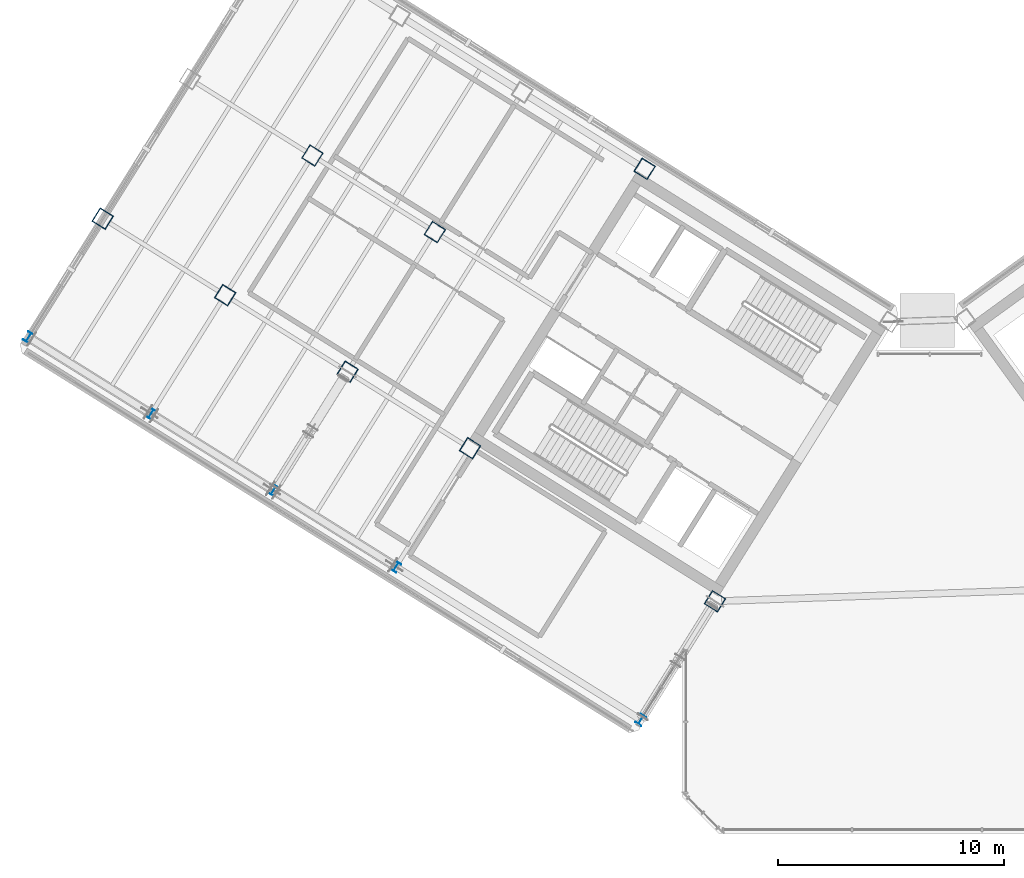
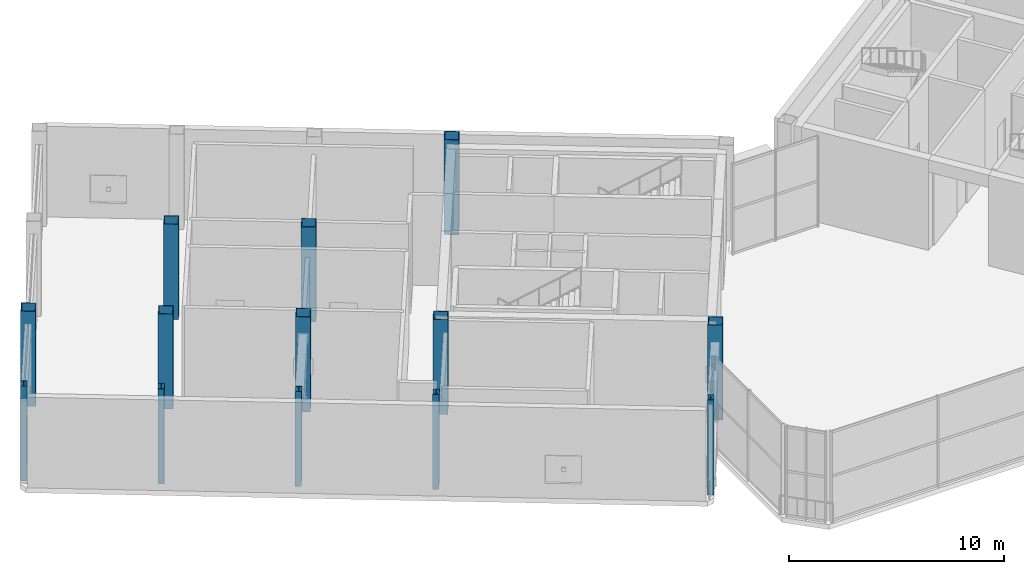
# One storey, part 1 of 32: 13 columns.
"""IFC4 building model written with IfcOpenShell, lengths in metres."""

from ifc_helpers import new_model, si_unit, direction, frame, origin, origin_2d, place, context, subcontext, project, spatial, hollow_rectangle, i_section, extrude, source, transform, mapped, material, material_profile, profile_set, type_object, element, save


model = new_model("IFC4")

# Units and contexts
model_context = context("Model", 3, precision=1e-05, world=origin(), true_north=direction((0.0, 1.0)))
body_context = subcontext(model_context, "Body", "Model", "MODEL_VIEW")
ifc_project = project(units=[si_unit("LENGTHUNIT", "METRE"), si_unit("AREAUNIT", "SQUARE_METRE"), si_unit("VOLUMEUNIT", "CUBIC_METRE"), si_unit("PLANEANGLEUNIT", "RADIAN"), si_unit("MASSUNIT", "GRAM", prefix="KILO")], contexts=[model_context])

# Site, building, storey
site_placement = place(None, origin())
site = spatial("IfcSite", under=ifc_project, at=site_placement, CompositionType="ELEMENT")
building_placement = place(site_placement, origin())
building = spatial("IfcBuilding", under=site, at=building_placement, Name="Tlacorven Tower", CompositionType="ELEMENT")
storey_placement = place(building_placement, frame((0.0, 0.0, 245.699951171875)))
storey = spatial("IfcBuildingStorey", under=building, at=storey_placement, Name="L62", CompositionType="ELEMENT", Elevation=245.699951171875)

# Columns
ifc_material_1 = material(Name="Steel S460M", Category="steel")
ifc_material_profile_1 = material_profile(ifc_material_1, hollow_rectangle(XDim=0.699951171875, YDim=0.699951171875, WallThickness=0.028076171875, at=origin_2d()), Name="BOX 700X700X28")
ifc_profile_set_1 = profile_set([ifc_material_profile_1], Name="Steel S460M")
column_type_1 = type_object("IfcColumnType", Name="COL-TWR-S4", PredefinedType="COLUMN", material=ifc_profile_set_1)
shared_shape_1 = source(origin(), body_context, "Body", "SweptSolid", [
    extrude(hollow_rectangle(XDim=0.699951171875, YDim=0.699951171875, WallThickness=0.028076171875, at=origin_2d()), origin(), (0.0, 0.0, 1.0), 5.400146484375),
])
for number, where, z_axis, x_axis, name in (
    (1, (33.046142578125, 12.0869140625, 0.0), (0.0, 0.0, 1.0), (-0.848048096156, 0.529919264233, 0.0), "L62 column COL-L62-W1-3"),
    (2, (29.927978515625, 31.25146484375, 0.0), (0.0, 0.0, 1.0), (-0.848048096156, 0.529919264233, 0.0), "L62 column COL-L62-W3-1"),
    (3, (22.191162109375, 18.869873046875, 0.0), (0.0, 0.0, 1.0), (-0.848048096156, 0.529919264233, 0.0), "L62 column COL-L62-W3-3"),
    (4, (20.632080078125, 28.4521484375, 0.0), (0.0, 0.0, 1.0), (-0.848048096156, 0.529919264233, 0.0), "L62 column COL-L62-W4-2"),
    (5, (16.763671875, 22.26123046875, 0.0), (0.0, 0.0, 1.0), (-0.848048096156, 0.529919264233, 0.0), "L62 column COL-L62-W4-3"),
    (6, (15.20458984375, 31.843505859375, 0.0), (0.0, 0.0, 1.0), (-0.848048096156, 0.529919264233, 0.0), "L62 column COL-L62-W5-2"),
    (7, (11.336181640625, 25.65283203125, 0.0), (0.0, 0.0, 1.0), (-0.848048096156, 0.529919264233, 0.0), "L62 column COL-L62-W5-3"),
    (8, (5.90869140625, 29.044189453125, 0.0), (0.0, 0.0, 1.0), (-0.848048096156, 0.529919264233, 0.0), "L62 column COL-L62-W6-3"),
):
    element("IfcColumn", number, at=place(storey_placement, frame(where, z_axis=z_axis, x_axis=x_axis)), inside=storey, type_object=column_type_1, Name=name, PredefinedType="COLUMN", context=body_context, shape_type="MappedRepresentation", body=[
        mapped(shared_shape_1, transform((0.0, 0.0, 0.0), scale=1.0)),
    ])
ifc_material_2 = material(Name="Steel S355J2", Category="steel")
ifc_material_profile_2 = material_profile(ifc_material_2, i_section(OverallWidth=0.300048828125, OverallDepth=0.449951171875, WebThickness=0.013916015625, FlangeThickness=0.02587890625, at=origin_2d()), Name="HEB 450")
ifc_profile_set_2 = profile_set([ifc_material_profile_2], Name="Steel S355J2")
column_type_2 = type_object("IfcColumnType", Name="COL-TWR-P3", PredefinedType="COLUMN", material=ifc_profile_set_2)
shared_shape_2 = source(origin(), body_context, "Body", "SweptSolid", [
    extrude(i_section(OverallWidth=0.300048828125, OverallDepth=0.449951171875, WebThickness=0.013916015625, FlangeThickness=0.02587890625, at=origin_2d()), origin(), (0.0, 0.0, 1.0), 5.400146484375),
])
for number, where, z_axis, x_axis, name in (
    (9, (29.7607421875, 6.8291015625, 0.0), (0.0, 0.0, 1.0), (-0.848048096156, 0.529919264233, 0.0), "L62 column COL-L62-W1-4"),
    (10, (18.905517578125, 13.612060546875, 0.0), (0.0, 0.0, 1.0), (-0.848048096156, 0.529919264233, 0.0), "L62 column COL-L62-W3-4"),
    (11, (13.47802734375, 17.00341796875, 0.0), (0.0, 0.0, 1.0), (-0.848048096156, 0.529919264233, 0.0), "L62 column COL-L62-W4-4"),
    (12, (8.050537109375, 20.39501953125, 0.0), (0.0, 0.0, 1.0), (-0.848048096156, 0.529919264233, 0.0), "L62 column COL-L62-W5-4"),
    (13, (2.623046875, 23.786376953125, 0.0), (0.0, 0.0, 1.0), (-0.848048096156, 0.529919264233, 0.0), "L62 column COL-L62-W6-4"),
):
    element("IfcColumn", number, at=place(storey_placement, frame(where, z_axis=z_axis, x_axis=x_axis)), inside=storey, type_object=column_type_2, Name=name, PredefinedType="COLUMN", context=body_context, shape_type="MappedRepresentation", body=[
        mapped(shared_shape_2, transform((0.0, 0.0, 0.0), scale=1.0)),
    ])

save(model, "model.ifc")
